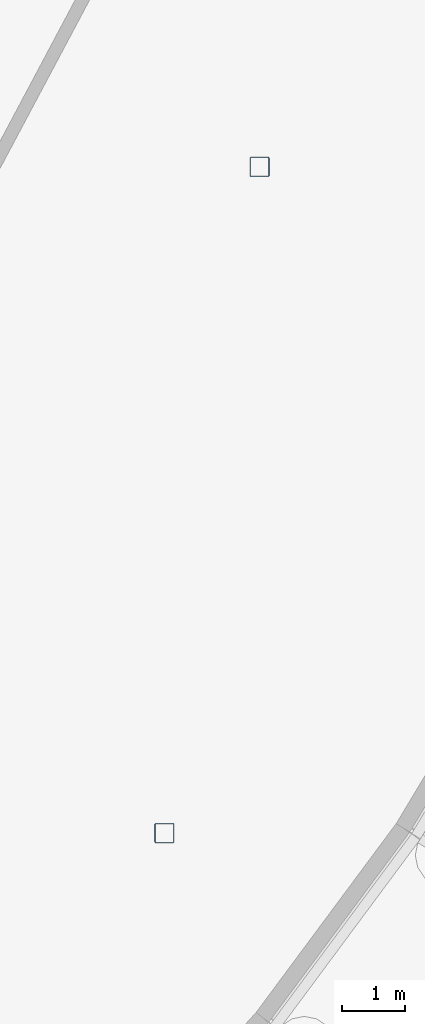
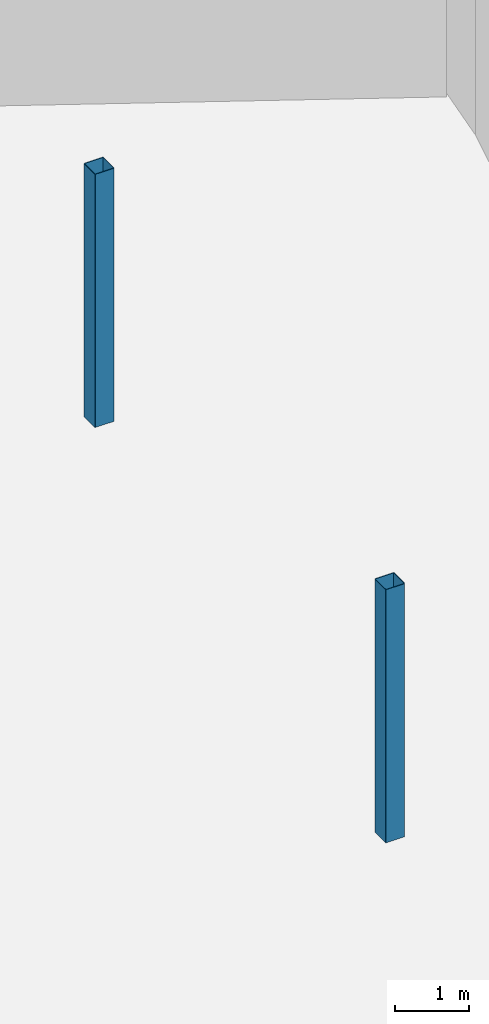
# One storey, part 2 of 16: 2 columns.
"""IFC4 building model written with IfcOpenShell, lengths in metres."""

from ifc_helpers import new_model, si_unit, direction, frame, origin, origin_2d, place, context, subcontext, project, spatial, hollow_rectangle, extrude, material, material_profile, profile_set, type_object, element, save


model = new_model("IFC4")

# Units and contexts
model_context = context("Model", 3, precision=1e-05, world=origin(), true_north=direction((0.0, 1.0)))
body_context = subcontext(model_context, "Body", "Model", "MODEL_VIEW")
ifc_project = project(units=[si_unit("LENGTHUNIT", "METRE"), si_unit("AREAUNIT", "SQUARE_METRE"), si_unit("VOLUMEUNIT", "CUBIC_METRE"), si_unit("PLANEANGLEUNIT", "RADIAN"), si_unit("MASSUNIT", "GRAM", prefix="KILO")], contexts=[model_context])

# Site, building, storey
site_placement = place(None, origin())
site = spatial("IfcSite", under=ifc_project, at=site_placement, CompositionType="ELEMENT")
building_placement = place(site_placement, origin())
building = spatial("IfcBuilding", under=site, at=building_placement, Name="Cormorant Relay Tower", CompositionType="ELEMENT")
storey_placement = place(building_placement, frame((0.0, 0.0, 345.0)))
storey = spatial("IfcBuildingStorey", under=building, at=storey_placement, Name="C5", CompositionType="ELEMENT", Elevation=345.0)

# Columns
ifc_material = material(Name="Steel ASTM A500 Grade C (Fy 345 MPa)", Category="steel")
ifc_material_profile = material_profile(ifc_material, hollow_rectangle(XDim=0.3046875, YDim=0.3046875, WallThickness=0.0087890625, InnerFilletRadius=0.00439453125, OuterFilletRadius=0.01318359375, at=origin_2d()), Name="HSS305x305x9")
ifc_profile_set = profile_set([ifc_material_profile], Name="Steel ASTM A500 Grade C (Fy 345 MPa)")
column_type = type_object("IfcColumnType", Name="Column HSS305x305x9", PredefinedType="COLUMN", material=ifc_profile_set)
for number, where, z_axis, x_axis, name in (
    (1, (-12.0, 0.0, 0.0), (0.0, 0.0, 1.0), (1.0, 0.0, 0.0), "Column C5-001"),
    (2, (-10.5, 10.5, 0.0), (0.0, 0.0, 1.0), (1.0, 0.0, 0.0), "Column C5-002"),
):
    element("IfcColumn", number, at=place(storey_placement, frame(where, z_axis=z_axis, x_axis=x_axis)), inside=storey, type_object=column_type, Name=name, PredefinedType="COLUMN", context=body_context, shape_type="SweptSolid", body=[
        extrude(hollow_rectangle(XDim=0.3046875, YDim=0.3046875, WallThickness=0.0087890625, InnerFilletRadius=0.00439453125, OuterFilletRadius=0.01318359375, at=origin_2d()), origin(), (0.0, 0.0, 1.0), 4.199951171875),
    ])

save(model, "model.ifc")
